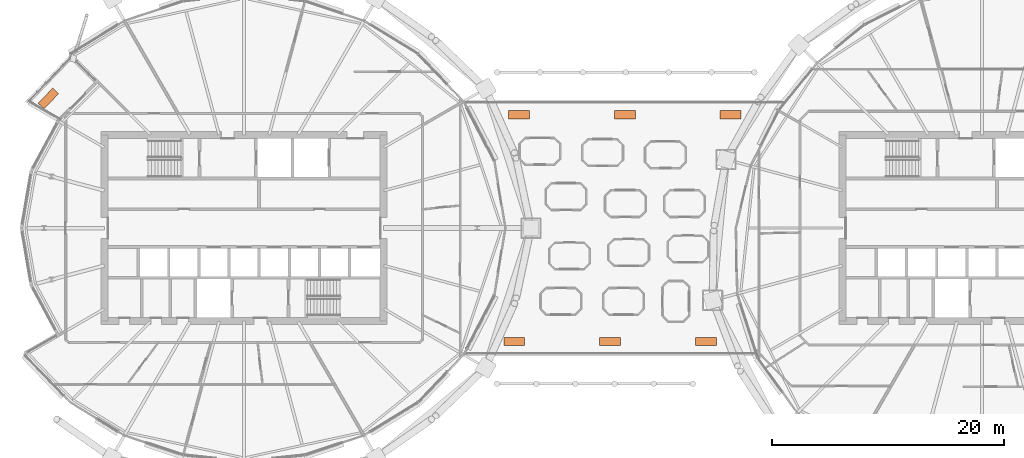
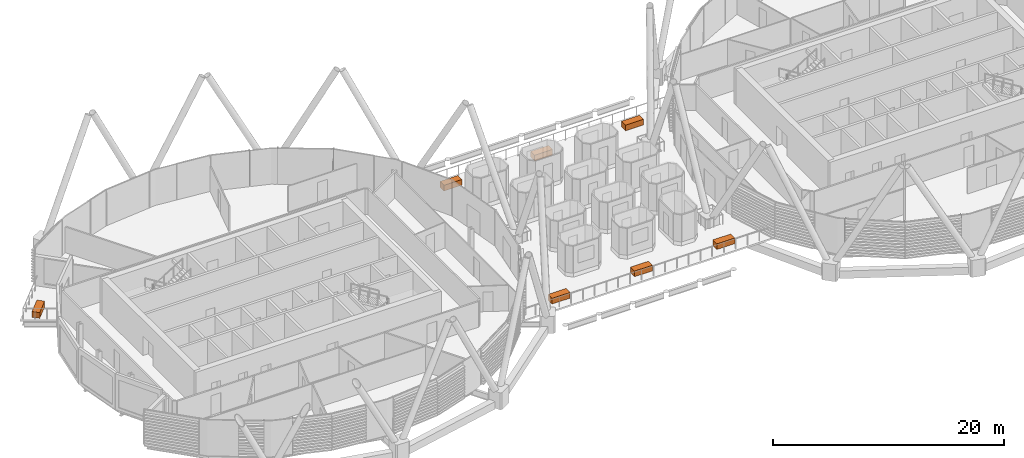
# One storey, part 38 of 38: 7 proxies.
"""IFC4 building model written with IfcOpenShell, lengths in metres."""

from ifc_helpers import new_model, si_unit, direction, frame, origin, origin_2d, place, context, subcontext, project, spatial, rectangle, extrude, material, type_object, element, save


model = new_model("IFC4")

# Units and contexts
model_context = context("Model", 3, precision=1e-05, world=origin(), true_north=direction((0.0, 1.0)))
body_context = subcontext(model_context, "Body", "Model", "MODEL_VIEW")
ifc_project = project(units=[si_unit("LENGTHUNIT", "METRE"), si_unit("AREAUNIT", "SQUARE_METRE"), si_unit("VOLUMEUNIT", "CUBIC_METRE"), si_unit("PLANEANGLEUNIT", "RADIAN"), si_unit("MASSUNIT", "GRAM", prefix="KILO")], contexts=[model_context])

# Site, building, storey
site_placement = place(None, origin())
site = spatial("IfcSite", under=ifc_project, at=site_placement, CompositionType="ELEMENT")
building_placement = place(site_placement, origin())
building = spatial("IfcBuilding", under=site, at=building_placement, Name="Rimbun Link Towers", CompositionType="ELEMENT")
storey_placement = place(building_placement, frame((0.0, 0.0, 158.89990234375)))
storey = spatial("IfcBuildingStorey", under=building, at=storey_placement, Name="L38", CompositionType="ELEMENT", Elevation=158.89990234375)

# Proxies
ifc_material = material(Name="Concrete C30/37", Category="concrete")
building_element_proxy_type = type_object("IfcBuildingElementProxyType", Name="PLANTER precast box 1800X700X600", PredefinedType="USERDEFINED", material=ifc_material)
for number, where, z_axis, x_axis, name in (
    (1, (10.11279296875, 9.75, 0.0), (0.0, 0.0, 1.0), (-1.0, 0.0, 0.0), "PLANTER"),
    (2, (1.016845703125, 9.75, 0.0), (0.0, 0.0, 1.0), (-1.0, 0.0, 0.0), "PLANTER"),
    (3, (-8.0791015625, 9.75, 0.0), (0.0, 0.0, 1.0), (-1.0, 0.0, 0.0), "PLANTER"),
    (4, (-8.502197265625, -9.75, 0.0), (0.0, 0.0, 1.0), (1.0, 0.0, 0.0), "PLANTER"),
    (5, (-0.2529296875, -9.75, 0.0), (0.0, 0.0, 1.0), (1.0, 0.0, 0.0), "PLANTER"),
    (6, (7.99658203125, -9.75, 0.0), (0.0, 0.0, 1.0), (1.0, 0.0, 0.0), "PLANTER"),
    (7, (-48.5966796875, 11.150634765625, 0.0), (0.0, 0.0, 1.0), (-0.692052284405, -0.721847376977, 0.0), "PLANTER"),
):
    element("IfcBuildingElementProxy", number, at=place(storey_placement, frame(where, z_axis=z_axis, x_axis=x_axis)), inside=storey, type_object=building_element_proxy_type, Name=name, ObjectType="PLANTER", PredefinedType="USERDEFINED", context=body_context, shape_type="SweptSolid", body=[
        extrude(rectangle(XDim=1.800048828125, YDim=0.699951171875, at=origin_2d()), origin(), (0.0, 0.0, 1.0), 0.60009765625),
    ])

save(model, "model.ifc")
